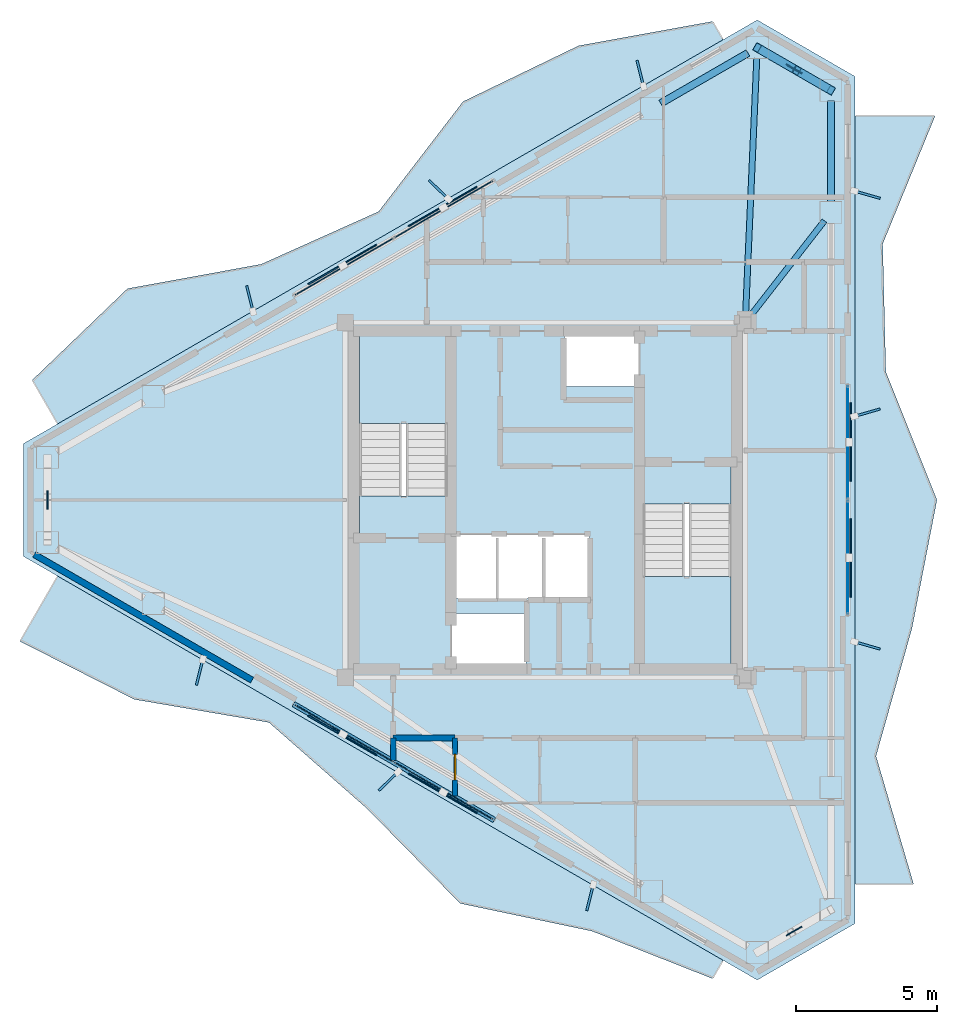
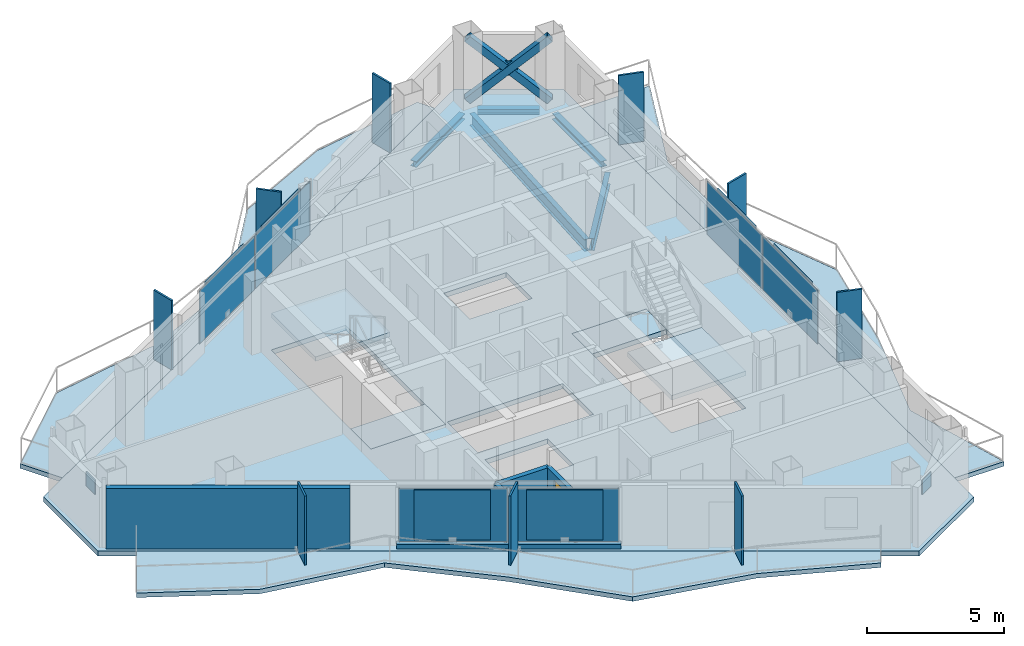
# One storey, part 13 of 18: 24 plates, 8 slabs, 5 beams, 5 walls, 3 members, 1 door, 1 opening, 5 elements without a shape of their own.
"""IFC4 building model written with IfcOpenShell, lengths in metres."""

from ifc_helpers import new_model, si_unit, direction, frame, frame_2d, origin, origin_2d, place, context, subcontext, project, spatial, polyline, rectangle, hollow_rectangle, i_section, outline, extrude, material, layer, layer_set, material_profile, profile_set, type_object, element, fill, aggregate, save


model = new_model("IFC4")

# Units and contexts
model_context = context("Model", 3, precision=1e-05, world=origin(), true_north=direction((0.0, 1.0)))
body_context = subcontext(model_context, "Body", "Model", "MODEL_VIEW")
ifc_project = project(units=[si_unit("LENGTHUNIT", "METRE"), si_unit("AREAUNIT", "SQUARE_METRE"), si_unit("VOLUMEUNIT", "CUBIC_METRE"), si_unit("PLANEANGLEUNIT", "RADIAN"), si_unit("MASSUNIT", "GRAM", prefix="KILO")], contexts=[model_context])

# Site, building, storey
site_placement = place(None, origin())
site = spatial("IfcSite", under=ifc_project, at=site_placement, CompositionType="ELEMENT")
building_placement = place(site_placement, origin())
building = spatial("IfcBuilding", under=site, at=building_placement, Name="Mersakhor Tower and Convention Hall", CompositionType="ELEMENT")
storey_placement = place(building_placement, frame((0.0, 0.0, 229.800048828125)))
storey = spatial("IfcBuildingStorey", under=building, at=storey_placement, Name="L64", CompositionType="ELEMENT", Elevation=229.800048828125)

# Beams
ifc_material_1 = material(Name="Steel S355", Category="steel")
ifc_material_profile_1 = material_profile(ifc_material_1, i_section(OverallWidth=0.2099609375, OverallDepth=0.53662109375, WebThickness=0.0107421875, FlangeThickness=0.017333984375, at=origin_2d()), Name="UB 533x210x101")
ifc_profile_set_1 = profile_set([ifc_material_profile_1], Name="Steel S355")
beam_type_1 = type_object("IfcBeamType", Name="BM-FB-533", PredefinedType="BEAM", material=ifc_profile_set_1)
beam_1_placement = place(storey_placement, frame((36.1123046875, 33.32958984375, -0.48828125), z_axis=(0.043540774519, 0.999051650794, 0.0), x_axis=(-0.999051650794, 0.043540774519, 0.0)))
element("IfcBeam", 1, at=beam_1_placement, inside=storey, type_object=beam_type_1, Name="L64 Primary Floor Girder FG-2", PredefinedType="BEAM", context=body_context, shape_type="SweptSolid", body=[
    extrude(i_section(OverallWidth=0.2099609375, OverallDepth=0.53662109375, WebThickness=0.0107421875, FlangeThickness=0.017333984375, at=origin_2d()), origin(), (0.0, 0.0, 1.0), 9.10595703125),
])
beam_2_placement = place(storey_placement, frame((36.27197265625, 33.27099609375, -0.48828125), z_axis=(0.614066533088, 0.789254263809, 0.0), x_axis=(-0.789254263809, 0.614066533088, 0.0)))
element("IfcBeam", 2, at=beam_2_placement, inside=storey, type_object=beam_type_1, Name="L64 Primary Floor Girder FG-3", PredefinedType="BEAM", context=body_context, shape_type="SweptSolid", body=[
    extrude(i_section(OverallWidth=0.2099609375, OverallDepth=0.53662109375, WebThickness=0.0107421875, FlangeThickness=0.017333984375, at=origin_2d()), origin(), (0.0, 0.0, 1.0), 4.295166015625),
])
ifc_material_2 = material(Name="Steel S355", Category="steel")
ifc_material_profile_2 = material_profile(ifc_material_2, i_section(OverallWidth=0.25634765625, OverallDepth=0.26025390625, WebThickness=0.01025390625, FlangeThickness=0.017333984375, at=origin_2d()), Name="UC 254x254x89")
ifc_profile_set_2 = profile_set([ifc_material_profile_2], Name="Steel S355")
beam_type_2 = type_object("IfcBeamType", Name="BM-SPD-UC254", PredefinedType="SPANDREL", material=ifc_profile_set_2)
beam_3_placement = place(storey_placement, frame((33.1005859375, 40.829345703125, -0.35009765625), z_axis=(0.866002454009, 0.500039748071, 0.0), x_axis=(-0.500039748071, 0.866002454009, 0.0)))
element("IfcBeam", 3, at=beam_3_placement, inside=storey, type_object=beam_type_2, Name="L64 Perimeter Spandrel Beam SPB-03", PredefinedType="SPANDREL", context=body_context, shape_type="SweptSolid", body=[
    extrude(i_section(OverallWidth=0.25634765625, OverallDepth=0.26025390625, WebThickness=0.01025390625, FlangeThickness=0.017333984375, at=origin_2d()), origin(), (0.0, 0.0, 1.0), 3.574462890625),
])
beam_4_placement = place(storey_placement, frame((36.854248046875, 42.61669921875, -0.35009765625), z_axis=(0.866016678684, -0.500015112013, 0.0), x_axis=(0.500015112013, 0.866016678684, 0.0)))
element("IfcBeam", 4, at=beam_4_placement, inside=storey, type_object=beam_type_2, Name="L64 Perimeter Spandrel Beam SPB-04", PredefinedType="SPANDREL", context=body_context, shape_type="SweptSolid", body=[
    extrude(i_section(OverallWidth=0.25634765625, OverallDepth=0.26025390625, WebThickness=0.01025390625, FlangeThickness=0.017333984375, at=origin_2d()), origin(), (0.0, 0.0, 1.0), 2.2626953125),
])
beam_5_placement = place(storey_placement, frame((39.142822265625, 40.915283203125, -0.35009765625), z_axis=(0.0, -1.0, 0.0), x_axis=(1.0, 0.0, 0.0)))
element("IfcBeam", 5, at=beam_5_placement, inside=storey, type_object=beam_type_2, Name="L64 Perimeter Spandrel Beam SPB-05", PredefinedType="SPANDREL", context=body_context, shape_type="SweptSolid", body=[
    extrude(i_section(OverallWidth=0.25634765625, OverallDepth=0.26025390625, WebThickness=0.01025390625, FlangeThickness=0.017333984375, at=origin_2d()), origin(), (0.0, 0.0, 1.0), 3.574462890625),
])

# Members
ifc_material_3 = material(Name="Steel S355", Category="steel")
ifc_material_profile_3 = material_profile(ifc_material_3, hollow_rectangle(XDim=0.300048828125, YDim=0.300048828125, WallThickness=0.01611328125, at=origin_2d()), Name="SHS 300x300x16")
ifc_profile_set_3 = profile_set([ifc_material_profile_3], Name="Steel S355")
member_type = type_object("IfcMemberType", Name="MB-BRC-SHS300", PredefinedType="BRACE", material=ifc_profile_set_3)
member_placement = place(storey_placement, frame((36.525146484375, 42.806640625, 0.14990234375), z_axis=(0.637423019708, -0.367995569109, 0.676957277132), x_axis=(0.499978822259, 0.866037630414, 0.0)))
element("IfcMember", 6, at=member_placement, inside=storey, type_object=member_type, Name="L64 Chamfer Braced Frame Diagonal CB-1A", PredefinedType="BRACE", context=body_context, shape_type="SweptSolid", body=[
    extrude(hollow_rectangle(XDim=0.300048828125, YDim=0.300048828125, WallThickness=0.01611328125, at=origin_2d()), origin(), (0.0, 0.0, 1.0), 4.106689453125),
])
for number, where, z_axis, x_axis, name in (
    (7, (39.142822265625, 41.29541015625, 0.14990234375), (-0.6374128848, 0.367990943802, 0.676969334291), (-0.499980071345, -0.866036909293, 0.0), "L64 Chamfer Braced Frame Diagonal CB-1B Lower Half"),
    (8, (37.73291015625, 42.109375, 1.647216796875), (-0.6374128848, 0.367990943802, 0.676969334291), (-0.499980071345, -0.866036909293, 0.0), "L64 Chamfer Braced Frame Diagonal CB-1B Upper Half"),
):
    element("IfcMember", number, at=place(storey_placement, frame(where, z_axis=z_axis, x_axis=x_axis)), inside=storey, type_object=member_type, Name=name, PredefinedType="BRACE", context=body_context, shape_type="SweptSolid", body=[
        extrude(hollow_rectangle(XDim=0.300048828125, YDim=0.300048828125, WallThickness=0.01611328125, at=origin_2d()), origin(), (0.0, 0.0, 1.0), 1.894775390625),
    ])

# Curtain wall, plates
ifc_material_4 = material(Name="Dark solar low-E aluminium curtain wall", Category="aluminium")
ifc_layer_1 = layer(ifc_material_4, 0.179931640625)
ifc_layer_set_1 = layer_set([ifc_layer_1], Name="Dark solar low-E aluminium curtain wall")
curtain_wall_type = type_object("IfcCurtainWallType", Name="CW-SYS-03", PredefinedType="USERDEFINED", material=ifc_layer_set_1)
curtain_wall_1_placement = place(storey_placement, origin())
curtain_wall_1 = element("IfcCurtainWall", 9, at=curtain_wall_1_placement, inside=storey, type_object=curtain_wall_type, Name="L64 Dark-Glass Curtain Wall F1-B2", ObjectType="CURTAIN WALL", PredefinedType="USERDEFINED")
ifc_material_5 = material(Name="Dark solar double glazing", Category="glass")
ifc_layer_2 = layer(ifc_material_5, 0.031982421875)
ifc_layer_set_2 = layer_set([ifc_layer_2], Name="Dark solar double glazing")
plate_type_1 = type_object("IfcPlateType", Name="CWP-GLZ-32", PredefinedType="CURTAIN_PANEL", material=ifc_layer_set_2)
plate_1_placement = place(storey_placement, frame((21.863525390625, 35.034423828125, 0.260009765625), z_axis=(0.0, 0.0, 1.0), x_axis=(0.86602285698, 0.500004411169, 0.0)))
plate_1 = element("IfcPlate", 10, at=plate_1_placement, type_object=plate_type_1, Name="CW-03 panel 1.1", PredefinedType="CURTAIN_PANEL", context=body_context, shape_type="SweptSolid", body=[
    extrude(rectangle(XDim=4.00146484375, YDim=0.031982421875, at=origin_2d()), origin(), (0.0, 0.0, 1.0), 2.3798828125),
])
plate_2_placement = place(storey_placement, frame((25.393798828125, 37.07275390625, 0.260009765625), z_axis=(0.0, 0.0, 1.0), x_axis=(0.86602285698, 0.500004411169, 0.0)))
plate_2 = element("IfcPlate", 11, at=plate_2_placement, type_object=plate_type_1, Name="CW-03 panel 2.1", PredefinedType="CURTAIN_PANEL", context=body_context, shape_type="SweptSolid", body=[
    extrude(rectangle(XDim=4.00146484375, YDim=0.031982421875, at=origin_2d()), origin(), (0.0, 0.0, 1.0), 2.3798828125),
])
aggregate(curtain_wall_1, [plate_1, plate_2])

curtain_wall_2_placement = place(storey_placement, origin())
curtain_wall_2 = element("IfcCurtainWall", 12, at=curtain_wall_2_placement, inside=storey, type_object=curtain_wall_type, Name="L64 Dark-Glass Curtain Wall F2-B2", ObjectType="CURTAIN WALL", PredefinedType="USERDEFINED")
plate_3_placement = place(storey_placement, frame((39.742919921875, 28.7880859375, 0.260009765625), z_axis=(0.0, 0.0, 1.0), x_axis=(0.0, -1.0, 0.0)))
plate_3 = element("IfcPlate", 13, at=plate_3_placement, type_object=plate_type_1, Name="CW-03 panel 1.1", PredefinedType="CURTAIN_PANEL", context=body_context, shape_type="SweptSolid", body=[
    extrude(rectangle(XDim=4.00146484375, YDim=0.031982421875, at=origin_2d()), origin(), (0.0, 0.0, 1.0), 2.3798828125),
])
plate_4_placement = place(storey_placement, frame((39.742919921875, 24.7119140625, 0.260009765625), z_axis=(0.0, 0.0, 1.0), x_axis=(0.0, -1.0, 0.0)))
plate_4 = element("IfcPlate", 14, at=plate_4_placement, type_object=plate_type_1, Name="CW-03 panel 2.1", PredefinedType="CURTAIN_PANEL", context=body_context, shape_type="SweptSolid", body=[
    extrude(rectangle(XDim=4.00146484375, YDim=0.031982421875, at=origin_2d()), origin(), (0.0, 0.0, 1.0), 2.3798828125),
])
aggregate(curtain_wall_2, [plate_3, plate_4])

curtain_wall_3_placement = place(storey_placement, origin())
curtain_wall_3 = element("IfcCurtainWall", 15, at=curtain_wall_3_placement, inside=storey, type_object=curtain_wall_type, Name="L64 Dark-Glass Curtain Wall F3-B2", ObjectType="CURTAIN WALL", PredefinedType="USERDEFINED")
plate_5_placement = place(storey_placement, frame((25.393798828125, 16.42724609375, 0.260009765625), z_axis=(0.0, 0.0, 1.0), x_axis=(-0.86602285698, 0.500004411169, 0.0)))
plate_5 = element("IfcPlate", 16, at=plate_5_placement, type_object=plate_type_1, Name="CW-03 panel 1.1", PredefinedType="CURTAIN_PANEL", context=body_context, shape_type="SweptSolid", body=[
    extrude(rectangle(XDim=4.00146484375, YDim=0.031982421875, at=origin_2d()), origin(), (0.0, 0.0, 1.0), 2.3798828125),
])
plate_6_placement = place(storey_placement, frame((21.863525390625, 18.465576171875, 0.260009765625), z_axis=(0.0, 0.0, 1.0), x_axis=(-0.86602285698, 0.500004411169, 0.0)))
plate_6 = element("IfcPlate", 17, at=plate_6_placement, type_object=plate_type_1, Name="CW-03 panel 2.1", PredefinedType="CURTAIN_PANEL", context=body_context, shape_type="SweptSolid", body=[
    extrude(rectangle(XDim=4.00146484375, YDim=0.031982421875, at=origin_2d()), origin(), (0.0, 0.0, 1.0), 2.3798828125),
])
aggregate(curtain_wall_3, [plate_5, plate_6])

# Plates
ifc_material_6 = material(Name="Ceramic-clad aluminium Zone 5 ultramarine", Category="aluminium")
ifc_material_7 = material(Name="Ceramic-clad aluminium Zone 1 cobalt-slate", Category="masonry")
ifc_layer_3 = layer(ifc_material_7, 0.080078125)
ifc_layer_set_3 = layer_set([ifc_layer_3], Name="Ceramic-clad aluminium Zone 1 cobalt-slate")
plate_type_2 = type_object("IfcPlateType", Name="PL-FIN-80", PredefinedType="USERDEFINED", material=ifc_layer_set_3)
for number, where, z_axis, x_axis, name in (
    (18, (18.517578125, 33.8955078125, 0.0), (0.0, 0.0, 1.0), (-0.2419218956, 0.970295726276, 0.0), "L64 Zone 5 Coloured Brise-Soleil Fin F1-1"),
    (19, (25.218994140625, 37.7646484375, 0.0), (0.0, 0.0, 1.0), (-0.719339800339, 0.694658370459, 0.0), "L64 Zone 5 Coloured Brise-Soleil Fin F1-2"),
    (20, (32.3740234375, 41.8955078125, 0.0), (0.0, 0.0, 1.0), (-0.2419218956, 0.970295726276, 0.0), "L64 Zone 5 Coloured Brise-Soleil Fin F1-3"),
    (21, (40.429443359375, 37.58837890625, 0.0), (0.0, 0.0, 1.0), (0.961261695938, -0.275637355817, 0.0), "L64 Zone 5 Coloured Brise-Soleil Fin F2-1"),
    (22, (40.429443359375, 29.850341796875, 0.0), (0.0, 0.0, 1.0), (0.961261695938, 0.275637355817, 0.0), "L64 Zone 5 Coloured Brise-Soleil Fin F2-2"),
    (23, (40.429443359375, 21.58837890625, 0.0), (0.0, 0.0, 1.0), (0.961261695938, -0.275637355817, 0.0), "L64 Zone 5 Coloured Brise-Soleil Fin F2-3"),
    (24, (30.589111328125, 12.635009765625, 0.0), (0.0, 0.0, 1.0), (-0.2419218956, -0.970295726276, 0.0), "L64 Zone 5 Coloured Brise-Soleil Fin F3-1"),
    (25, (23.43408203125, 16.765869140625, 0.0), (0.0, 0.0, 1.0), (-0.719339800339, -0.694658370459, 0.0), "L64 Zone 5 Coloured Brise-Soleil Fin F3-2"),
    (26, (16.732666015625, 20.635009765625, 0.0), (0.0, 0.0, 1.0), (-0.2419218956, -0.970295726276, 0.0), "L64 Zone 5 Coloured Brise-Soleil Fin F3-3"),
):
    element("IfcPlate", number, at=place(storey_placement, frame(where, z_axis=z_axis, x_axis=x_axis)), inside=storey, type_object=plate_type_2, material=ifc_material_6, Name=name, ObjectType="FIN", PredefinedType="USERDEFINED", context=body_context, shape_type="SweptSolid", body=[
        extrude(rectangle(XDim=0.949951171875, YDim=0.080078125, at=origin_2d()), origin(), (0.0, 0.0, 1.0), 3.10009765625),
    ])
ifc_material_8 = material(Name="Steel S460", Category="steel")
ifc_layer_4 = layer(ifc_material_8, 0.0400390625)
ifc_layer_set_4 = layer_set([ifc_layer_4], Name="Steel S460")
plate_type_3 = type_object("IfcPlateType", Name="PL-GUSSET-40", PredefinedType="SHEET", material=ifc_layer_set_4)
for number, where, z_axis, x_axis, name in (
    (27, (37.833984375, 42.051025390625, 1.22021484375), (0.0, 0.0, 1.0), (-0.866025403784, 0.5, 0.0), "L64 X-Brace Crossing Gusset Node Plate"),
    (28, (37.833984375, 11.448974609375, 1.22021484375), (0.0, 0.0, 1.0), (0.866025403784, 0.5, 0.0), "L64 X-Brace Crossing Gusset Node Plate"),
    (29, (11.33203125, 26.75, 1.22021484375), (0.0, 0.0, 1.0), (0.0, -1.0, 0.0), "L64 X-Brace Crossing Gusset Node Plate"),
):
    element("IfcPlate", number, at=place(storey_placement, frame(where, z_axis=z_axis, x_axis=x_axis)), inside=storey, type_object=plate_type_3, Name=name, PredefinedType="SHEET", context=body_context, shape_type="SweptSolid", body=[
        extrude(rectangle(XDim=0.639892578125, YDim=0.0400390625, at=origin_2d()), origin(), (0.0, 0.0, 1.0), 0.639892578125),
    ])
ifc_material_9 = material(Name="Perforated ceramic cobogo solar screen", Category="aluminium")
ifc_layer_5 = layer(ifc_material_9, 0.048095703125)
ifc_layer_set_5 = layer_set([ifc_layer_5], Name="Perforated ceramic cobogo solar screen")
plate_type_4 = type_object("IfcPlateType", Name="PL-SCR-48", PredefinedType="USERDEFINED", material=ifc_layer_set_5)
for number, where, z_axis, x_axis, name in (
    (30, (21.80029296875, 35.1064453125, 0.39990234375), (0.0, 0.0, 1.0), (0.866025403784, 0.5, 0.0), "L64 Perforated Ceramic Solar Screen F1-1"),
    (31, (25.363037109375, 37.163330078125, 0.39990234375), (0.0, 0.0, 1.0), (0.866025403784, 0.5, 0.0), "L64 Perforated Ceramic Solar Screen F1-2"),
    (32, (39.8369140625, 28.806884765625, 0.39990234375), (0.0, 0.0, 1.0), (0.0, -1.0, 0.0), "L64 Perforated Ceramic Solar Screen F2-1"),
    (33, (39.8369140625, 24.693115234375, 0.39990234375), (0.0, 0.0, 1.0), (0.0, -1.0, 0.0), "L64 Perforated Ceramic Solar Screen F2-2"),
    (34, (25.36279296875, 16.336669921875, 0.39990234375), (0.0, 0.0, 1.0), (-0.866025403784, 0.5, 0.0), "L64 Perforated Ceramic Solar Screen F3-1"),
    (35, (21.80029296875, 18.3935546875, 0.39990234375), (0.0, 0.0, 1.0), (-0.866025403784, 0.5, 0.0), "L64 Perforated Ceramic Solar Screen F3-2"),
):
    element("IfcPlate", number, at=place(storey_placement, frame(where, z_axis=z_axis, x_axis=x_axis)), inside=storey, type_object=plate_type_4, Name=name, ObjectType="SCREEN", PredefinedType="USERDEFINED", context=body_context, shape_type="SweptSolid", body=[
        extrude(rectangle(XDim=2.800048828125, YDim=0.048095703125, at=origin_2d()), origin(), (0.0, 0.0, 1.0), 2.25),
    ])

# Slabs
ifc_material_10 = material(Name="Concrete C45/55", Category="concrete")
ifc_layer_6 = layer(ifc_material_10, 0.199951171875)
ifc_layer_set_6 = layer_set([ifc_layer_6], Name="Concrete C45/55")
slab_type_1 = type_object("IfcSlabType", Name="SL-BAL-200", PredefinedType="FLOOR", material=ifc_layer_set_6)
slab_1_placement = place(storey_placement, frame((0.0, 0.0, -0.199951171875)))
element("IfcSlab", 36, at=slab_1_placement, inside=storey, type_object=slab_type_1, Name="L64 Sinusoidal Balcony Slab Face 1", PredefinedType="FLOOR", context=body_context, shape_type="SweptSolid", body=[
    extrude(outline(polyline([(11.6943359375, 29.451904296875), (35.312744140625, 43.088134765625), (34.937744140625, 43.737548828125), (30.186279296875, 42.876708984375), (26.082763671875, 40.893310546875), (23.087890625, 36.989990234375), (18.91845703125, 35.120849609375), (14.1708984375, 34.25341796875), (10.79443359375, 31.0107421875), (11.6943359375, 29.451904296875)])), origin(), (0.0, 0.0, 1.0), 0.199951171875),
])
slab_2_placement = place(storey_placement, frame((0.0, 0.0, -0.199951171875)))
element("IfcSlab", 37, at=slab_2_placement, inside=storey, type_object=slab_type_1, Name="L64 Sinusoidal Balcony Slab Face 2", PredefinedType="FLOOR", context=body_context, shape_type="SweptSolid", body=[
    extrude(outline(polyline([(39.992919921875, 40.385986328125), (39.992919921875, 13.114013671875), (42.077880859375, 13.114013671875), (40.742919921875, 17.6591796875), (42.02197265625, 22.20458984375), (42.905029296875, 26.75), (41.0908203125, 31.29541015625), (40.97900390625, 35.8408203125), (42.8408203125, 40.385986328125), (39.992919921875, 40.385986328125)])), origin(), (0.0, 0.0, 1.0), 0.199951171875),
])
slab_3_placement = place(storey_placement, frame((0.0, 0.0, -0.199951171875)))
element("IfcSlab", 38, at=slab_3_placement, inside=storey, type_object=slab_type_1, Name="L64 Sinusoidal Balcony Slab Face 3", PredefinedType="FLOOR", context=body_context, shape_type="SweptSolid", body=[
    extrude(outline(polyline([(35.312744140625, 10.411865234375), (11.6943359375, 24.048095703125), (10.3564453125, 21.730712890625), (14.416015625, 19.671142578125), (19.192138671875, 18.85302734375), (22.67529296875, 15.79541015625), (25.97998046875, 12.428466796875), (30.66064453125, 11.44482421875), (34.936767578125, 9.760498046875), (35.312744140625, 10.411865234375)])), origin(), (0.0, 0.0, 1.0), 0.199951171875),
])
ifc_material_11 = material(Name="Concrete C40/50", Category="concrete")
ifc_layer_7 = layer(ifc_material_11, 0.219970703125)
ifc_layer_set_7 = layer_set([ifc_layer_7], Name="Concrete C40/50")
slab_type_2 = type_object("IfcSlabType", Name="SL-FLR-220", PredefinedType="FLOOR", material=ifc_layer_set_7)
slab_4_placement = place(storey_placement, frame((0.0, 0.0, -0.219970703125)))
element("IfcSlab", 39, at=slab_4_placement, inside=storey, type_object=slab_type_2, Name="L64 ST-1 Structural Stair Floor Landing", PredefinedType="LANDING", context=body_context, shape_type="SweptSolid", body=[
    extrude(outline(polyline([(25.550048828125, 25.39990234375), (25.550048828125, 26.89990234375), (22.39990234375, 26.89990234375), (22.39990234375, 25.39990234375), (25.550048828125, 25.39990234375)])), origin(), (0.0, 0.0, 1.0), 0.219970703125),
])
slab_5_placement = place(storey_placement, frame((0.0, 0.0, -0.219970703125)))
element("IfcSlab", 40, at=slab_5_placement, inside=storey, type_object=slab_type_2, Name="L64 ST-2 Structural Stair Floor Landing", PredefinedType="LANDING", context=body_context, shape_type="SweptSolid", body=[
    extrude(outline(polyline([(32.449951171875, 28.10009765625), (32.449951171875, 26.60009765625), (35.60009765625, 26.60009765625), (35.60009765625, 28.10009765625), (32.449951171875, 28.10009765625)])), origin(), (0.0, 0.0, 1.0), 0.219970703125),
])
slab_6_placement = place(storey_placement, frame((0.0, 0.0, -0.219970703125)))
element("IfcSlab", 41, at=slab_6_placement, inside=storey, type_object=slab_type_2, Name="Tower L64 Structural Floor Slab", PredefinedType="FLOOR", context=body_context, shape_type="SweptSolid", body=[
    extrude(outline(polyline([(10.48193359375, 28.751953125), (36.525146484375, 43.7880859375), (39.992919921875, 41.7861328125), (39.992919921875, 11.7138671875), (36.525146484375, 9.7119140625), (10.48193359375, 24.748046875), (10.48193359375, 28.751953125)]), holes=[polyline([(25.550048828125, 25.39990234375), (25.550048828125, 32.699951171875), (22.39990234375, 32.699951171875), (22.39990234375, 25.39990234375), (25.550048828125, 25.39990234375)]), polyline([(32.449951171875, 28.10009765625), (32.449951171875, 20.800048828125), (35.60009765625, 20.800048828125), (35.60009765625, 28.10009765625), (32.449951171875, 28.10009765625)]), polyline([(25.679931640625, 20.820068359375), (25.679931640625, 22.719970703125), (28.320068359375, 22.719970703125), (28.320068359375, 20.820068359375), (25.679931640625, 20.820068359375)]), polyline([(29.679931640625, 30.780029296875), (29.679931640625, 32.679931640625), (32.320068359375, 32.679931640625), (32.320068359375, 30.780029296875), (29.679931640625, 30.780029296875)]), polyline([(25.679931640625, 23.25), (25.679931640625, 25.5), (30.570068359375, 25.5), (30.570068359375, 23.25), (25.679931640625, 23.25)])]), origin(), (0.0, 0.0, 1.0), 0.219970703125),
])

# Stair, slab
ifc_material_12 = material(Name="Concrete C45/55", Category="concrete")
stair_type = type_object("IfcStairType", Name="ST-TWR-20R", PredefinedType="HALF_TURN_STAIR", material=ifc_material_12)
stair_1_placement = place(storey_placement, origin())
stair_1 = element("IfcStair", 42, at=stair_1_placement, inside=storey, type_object=stair_type, Name="L64 Tower Protected Exit Stair ST-1", PredefinedType="HALF_TURN_STAIR")
ifc_material_13 = material(Name="Concrete C45/55", Category="concrete")
ifc_layer_8 = layer(ifc_material_13, 0.199951171875)
ifc_layer_set_8 = layer_set([ifc_layer_8], Name="Concrete C45/55")
slab_type_3 = type_object("IfcSlabType", Name="SL-LAND-200", PredefinedType="LANDING", material=ifc_layer_set_8)
slab_7_placement = place(storey_placement, frame((0.0, 0.0, 1.449951171875)))
slab_7 = element("IfcSlab", 43, at=slab_7_placement, type_object=slab_type_3, Name="ST-1 landing 1", PredefinedType="LANDING", context=body_context, shape_type="SweptSolid", body=[
    extrude(outline(polyline([(25.550048828125, 29.465087890625), (25.550048828125, 32.699951171875), (22.39990234375, 32.699951171875), (22.39990234375, 29.465087890625), (25.550048828125, 29.465087890625)])), origin(), (0.0, 0.0, 1.0), 0.199951171875),
])
aggregate(stair_1, [slab_7])

stair_2_placement = place(storey_placement, origin())
stair_2 = element("IfcStair", 44, at=stair_2_placement, inside=storey, type_object=stair_type, Name="L64 Tower Protected Exit Stair ST-2", PredefinedType="HALF_TURN_STAIR")
slab_8_placement = place(storey_placement, frame((0.0, 0.0, 1.449951171875)))
slab_8 = element("IfcSlab", 45, at=slab_8_placement, type_object=slab_type_3, Name="ST-2 landing 1", PredefinedType="LANDING", context=body_context, shape_type="SweptSolid", body=[
    extrude(outline(polyline([(32.449951171875, 24.034912109375), (32.449951171875, 20.800048828125), (35.60009765625, 20.800048828125), (35.60009765625, 24.034912109375), (32.449951171875, 24.034912109375)])), origin(), (0.0, 0.0, 1.0), 0.199951171875),
])
aggregate(stair_2, [slab_8])

# Walls
ifc_material_14 = material(Name="Precast concrete C40/50", Category="concrete")
ifc_layer_9 = layer(ifc_material_14, 0.22509765625)
ifc_layer_set_9 = layer_set([ifc_layer_9], Name="Precast concrete C40/50")
wall_type_1 = type_object("IfcWallType", Name="WL-EXT-225", PredefinedType="SOLIDWALL", material=ifc_layer_set_9)
wall_1_placement = place(storey_placement, frame((18.593505859375, 20.353515625, 0.0), z_axis=(0.0, 0.0, 1.0), x_axis=(-0.866026655105, 0.499997832642, 0.0)))
element("IfcWall", 46, at=wall_1_placement, inside=storey, type_object=wall_type_1, Name="L64 Exterior Facade Wall F3-B3", PredefinedType="SOLIDWALL", context=body_context, shape_type="SweptSolid", body=[
    extrude(rectangle(XDim=8.927734375, YDim=0.22509765625, at=frame_2d((4.4638671875, 0.0))), origin(), (0.0, 0.0, 1.0), 2.699951171875),
])
ifc_material_15 = material(Name="Precast concrete C40/50", Category="concrete")
ifc_layer_10 = layer(ifc_material_15, 0.199951171875)
ifc_layer_set_10 = layer_set([ifc_layer_10], Name="Precast concrete C40/50")
wall_type_2 = type_object("IfcWallType", Name="WL-PAR-200", PredefinedType="PARAPET", material=ifc_layer_set_10)
wall_2_placement = place(storey_placement, frame((27.19140625, 15.389404296875, 0.0), z_axis=(0.0, 0.0, 1.0), x_axis=(-0.866019557082, 0.500010126649, 0.0)))
element("IfcWall", 47, at=wall_2_placement, inside=storey, type_object=wall_type_2, Name="L64 Curtain Wall Upstand Sill F3-B2", PredefinedType="PARAPET", context=body_context, shape_type="SweptSolid", body=[
    extrude(rectangle(XDim=8.227783203125, YDim=0.199951171875, at=frame_2d((4.11376953125, 0.0))), origin(), (0.0, 0.0, 1.0), 0.199951171875),
])

# Wall, opening, door
ifc_material_16 = material(Name="Moisture-resistant acoustic drywall studwork", Category="other")
ifc_layer_11 = layer(ifc_material_16, 0.175048828125)
ifc_layer_set_11 = layer_set([ifc_layer_11], Name="Moisture-resistant acoustic drywall studwork")
wall_type_3 = type_object("IfcWallType", Name="WL-PLM-175", PredefinedType="PLUMBINGWALL", material=ifc_layer_set_11)
wall_3_placement = place(storey_placement, frame((25.800048828125, 16.239013671875, 0.0), z_axis=(0.0, 0.0, 1.0), x_axis=(0.0, 1.0, 0.0)))
wall_3 = element("IfcWall", 48, at=wall_3_placement, inside=storey, type_object=wall_type_3, Name="L64 Interior Partition Wall P-041", PredefinedType="PLUMBINGWALL", context=body_context, shape_type="SweptSolid", body=[
    extrude(rectangle(XDim=2.06103515625, YDim=0.175048828125, at=frame_2d((1.030517578125, 0.0))), origin(), (0.0, 0.0, 1.0), 2.364990234375),
])
opening_placement = place(wall_3_placement, frame((0.58056640625, 0.0, 0.0)))
opening = element("IfcOpeningElement", 49, at=opening_placement, cuts=wall_3, Name="Opening WD-01", PredefinedType="OPENING", context=body_context, shape_type="SweptSolid", body=[
    extrude(rectangle(XDim=0.89990234375, YDim=2.10009765625, at=frame_2d((0.449951171875, 1.050048828125))), frame((0.0, 0.097412109375, 0.0), z_axis=(0.0, -1.0, 0.0), x_axis=(1.0, 0.0, 0.0)), (0.0, 0.0, 1.0), 0.195068359375),
])
ifc_material_17 = material(Name="Solid-core hardwood leaf in painted steel frame", Category="steel")
door_type = type_object("IfcDoorType", Name="DR-INT-WET-090x210", OperationType="NOTDEFINED", PredefinedType="DOOR", material=ifc_material_17)
door_placement = place(opening_placement, origin())
door = element("IfcDoor", 50, at=door_placement, inside=storey, type_object=door_type, Name="L64 L64 Flat S2 Apartment Hall to L64 Flat S2 Bathroom Door", OperationType="SINGLE_SWING_LEFT", OverallHeight=2.10009765625, OverallWidth=0.89990234375, PredefinedType="DOOR", context=body_context, shape_type="SweptSolid", body=[
    extrude(rectangle(XDim=0.89990234375, YDim=2.10009765625, at=frame_2d((0.449951171875, 1.050048828125))), frame((0.0, 0.02490234375, 0.0), z_axis=(0.0, -1.0, 0.0), x_axis=(1.0, 0.0, 0.0)), (0.0, 0.0, 1.0), 0.050048828125),
])
fill(opening, door)

# Walls
ifc_material_18 = material(Name="Acoustic concrete blockwork and gypsum board", Category="masonry")
ifc_layer_12 = layer(ifc_material_18, 0.199951171875)
ifc_layer_set_12 = layer_set([ifc_layer_12], Name="Acoustic concrete blockwork and gypsum board")
wall_type_4 = type_object("IfcWallType", Name="WL-PRT-200", PredefinedType="PARTITIONING", material=ifc_layer_set_12)
wall_4_placement = place(storey_placement, frame((25.800048828125, 18.300048828125, 0.0), z_axis=(0.0, 0.0, 1.0), x_axis=(-1.0, 0.0, 0.0)))
element("IfcWall", 51, at=wall_4_placement, inside=storey, type_object=wall_type_4, Name="L64 Interior Partition Wall P-033", PredefinedType="PARTITIONING", context=body_context, shape_type="SweptSolid", body=[
    extrude(rectangle(XDim=2.199951171875, YDim=0.199951171875, at=frame_2d((1.10009765625, 0.0))), origin(), (0.0, 0.0, 1.0), 2.364990234375),
])
wall_5_placement = place(storey_placement, frame((23.60009765625, 17.50927734375, 0.0), z_axis=(0.0, 0.0, 1.0), x_axis=(0.0, 1.0, 0.0)))
element("IfcWall", 52, at=wall_5_placement, inside=storey, type_object=wall_type_4, Name="L64 Interior Partition Wall P-049", PredefinedType="PARTITIONING", context=body_context, shape_type="SweptSolid", body=[
    extrude(rectangle(XDim=0.790771484375, YDim=0.199951171875, at=frame_2d((0.3955078125, 0.0))), origin(), (0.0, 0.0, 1.0), 2.364990234375),
])

save(model, "model.ifc")
